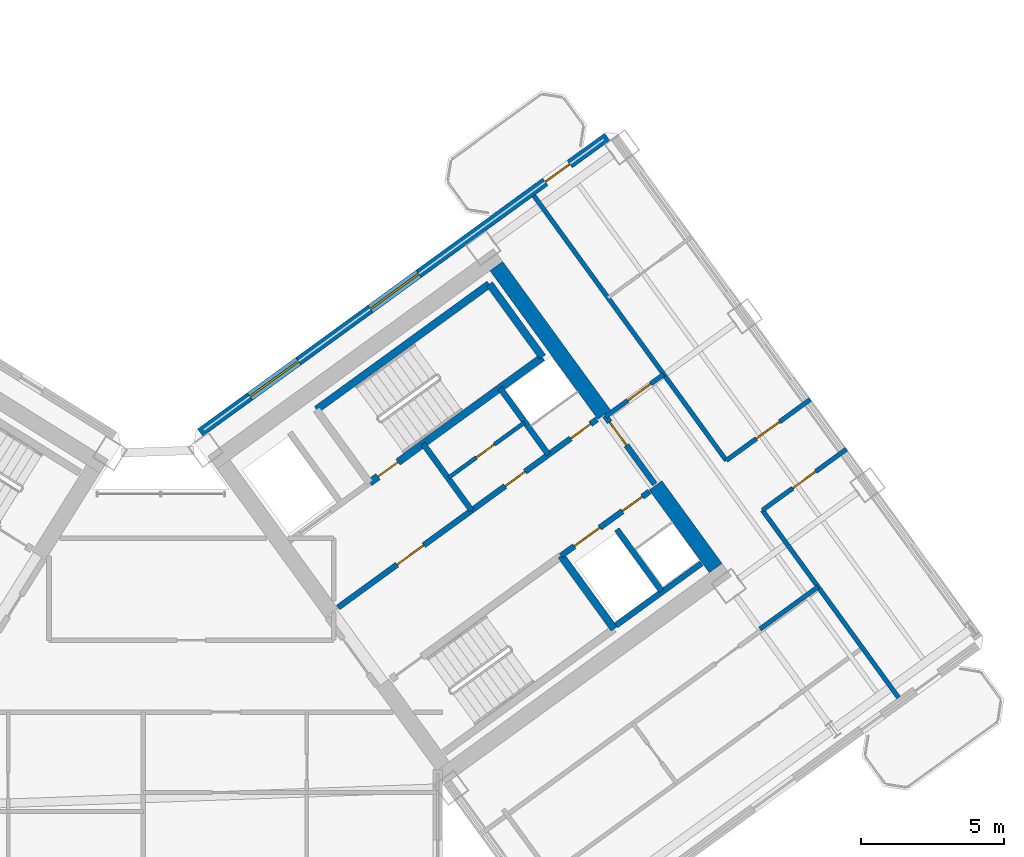
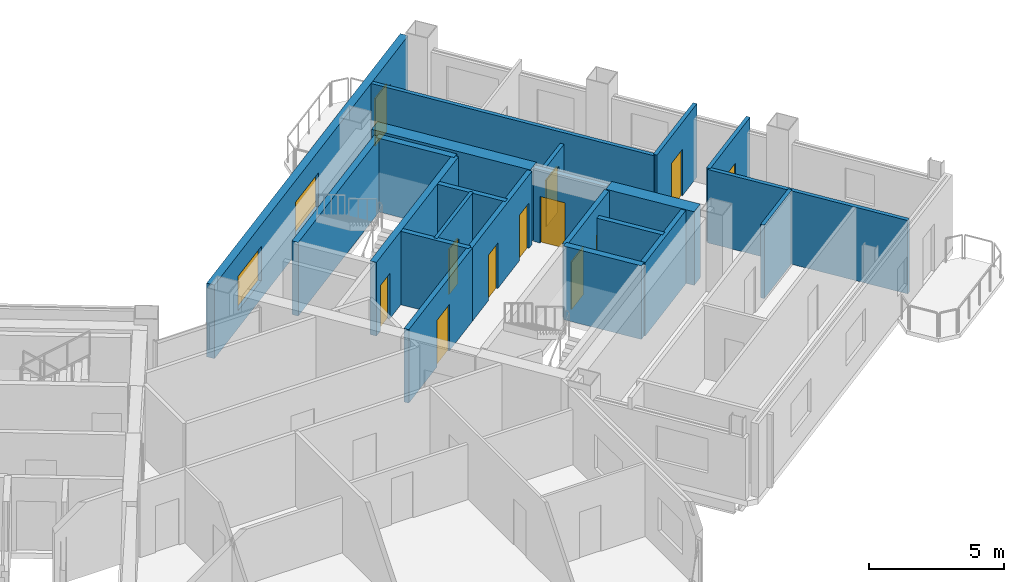
# One storey, part 20 of 29: 22 walls, 12 doors, 2 windows, 14 openings.
"""IFC4 building model written with IfcOpenShell, lengths in metres."""

import ifcopenshell
import ifcopenshell.guid

model = None  # the IFC model being written
_history = None  # IfcOwnerHistory: only IFC2X3 demands one
_inside = {}  # id of a spatial element -> (the spatial element, [elements in it])
_under = {}  # id of a project, library or spatial element -> (it, [spatial elements below it])
_declared = {}  # id of a project -> (the project, [libraries it declares])
_typed = {}  # id of a type object -> (the type object, [elements of that type])
_made_of = {}  # id of a material, layer set ... -> (it, [elements and type objects made of it])


def new_model(schema):
    """Start an empty IFC model of exactly this schema.

    Asked for "IFC4X3", IfcOpenShell would pick the latest addendum, in which some entities
    have other attributes; the version numbers below select the first issue.
    IFC2X3 requires an IfcOwnerHistory on every rooted entity: one is made here for all.
    """
    global model, _history
    if schema == "IFC4X3":
        model = ifcopenshell.file(schema_version=(4, 3, 0, 0))
    else:
        model = ifcopenshell.file(schema=schema)
    _inside.clear()
    _under.clear()
    _declared.clear()
    _typed.clear()
    _made_of.clear()
    _history = None
    if model.schema == "IFC2X3":
        org = make("IfcOrganization", Name="unknown")
        user = make(
            "IfcPersonAndOrganization",
            ThePerson=make("IfcPerson", FamilyName="unknown"),
            TheOrganization=org,
        )
        app = make(
            "IfcApplication",
            ApplicationDeveloper=org,
            Version="unknown",
            ApplicationFullName="unknown",
            ApplicationIdentifier="unknown",
        )
        _history = make(
            "IfcOwnerHistory",
            OwningUser=user,
            OwningApplication=app,
            ChangeAction="ADDED",
            CreationDate=0,
        )
    return model


def make(cls, **values):
    """One entity of the class cls with the attributes given. An attribute that is None is left unset."""
    return model.create_entity(
        cls, **{name: value for name, value in values.items() if value is not None}
    )


def rooted(cls, **values):
    """An entity with a GlobalId (a new one), such as an element, a storey or a relation."""
    return make(cls, GlobalId=ifcopenshell.guid.new(), OwnerHistory=_history, **values)


def si_unit(unit_type, name, prefix=None):
    """IfcSIUnit, for example si_unit("LENGTHUNIT", "METRE", prefix="MILLI")."""
    return make("IfcSIUnit", UnitType=unit_type, Prefix=prefix, Name=name)


def assignment(units):
    """IfcUnitAssignment: the units of a project."""
    return None if units is None else make("IfcUnitAssignment", Units=units)


def point(xyz):
    """IfcCartesianPoint."""
    return None if xyz is None else make("IfcCartesianPoint", Coordinates=xyz)


def direction(xyz):
    """IfcDirection."""
    return None if xyz is None else make("IfcDirection", DirectionRatios=xyz)


def frame(location, z_axis=None, x_axis=None):
    """IfcAxis2Placement3D, a coordinate frame: its origin and axes. An axis left out is left unset."""
    return make(
        "IfcAxis2Placement3D",
        Location=point(location),
        Axis=direction(z_axis),
        RefDirection=direction(x_axis),
    )


def frame_2d(location, x_axis=None):
    """IfcAxis2Placement2D, a coordinate frame in the plane: its origin and x axis."""
    return make(
        "IfcAxis2Placement2D", Location=point(location), RefDirection=direction(x_axis)
    )


def origin():
    """The frame at (0, 0, 0) with its axes left unset."""
    return frame((0.0, 0.0, 0.0))


def place(relative_to, where):
    """IfcLocalPlacement: puts the frame where relative to a parent placement (None: the world)."""
    return make(
        "IfcLocalPlacement", PlacementRelTo=relative_to, RelativePlacement=where
    )


def context(
    kind, dimensions, precision=None, world=None, true_north=None, identifier=None
):
    """IfcGeometricRepresentationContext, for example the 3D "Model" context."""
    return make(
        "IfcGeometricRepresentationContext",
        ContextIdentifier=identifier,
        ContextType=kind,
        CoordinateSpaceDimension=dimensions,
        Precision=precision,
        WorldCoordinateSystem=world,
        TrueNorth=true_north,
    )


def subcontext(parent, identifier, kind, view, scale=None):
    """IfcGeometricRepresentationSubContext, for example "Body" below "Model"."""
    return make(
        "IfcGeometricRepresentationSubContext",
        ContextIdentifier=identifier,
        ContextType=kind,
        ParentContext=parent,
        TargetScale=scale,
        TargetView=view,
    )


def project(units=None, contexts=None):
    """IfcProject with its units and contexts."""
    return rooted(
        "IfcProject",
        Name="project",
        RepresentationContexts=contexts,
        UnitsInContext=assignment(units),
    )


def spatial(cls, under=None, at=None, **own):
    """A site, building, storey or space (cls), placed at a placement, below another one or the project."""
    s = rooted(cls, ObjectPlacement=at, **own)
    if under is not None:
        _under.setdefault(under.id(), (under, []))[1].append(s)
    return s


def profile(cls, at=None, kind="AREA", **sizes):
    """A parametric profile (cls). Its sizes go by their IFC names, for example OverallWidth=200.0."""
    return make(cls, ProfileType=kind, Position=at, **sizes)


def rectangle(**sizes):
    """IfcRectangleProfileDef."""
    return profile("IfcRectangleProfileDef", **sizes)


def extrude(swept, where, along, depth):
    """IfcExtrudedAreaSolid: the profile swept, set in the frame where, extruded along a direction by depth."""
    return make(
        "IfcExtrudedAreaSolid",
        SweptArea=swept,
        Position=where,
        ExtrudedDirection=direction(along),
        Depth=depth,
    )


def shape(context_of_items, identifier, shape_type, items):
    """IfcShapeRepresentation: the items that make up one representation, for example the "Body"."""
    return make(
        "IfcShapeRepresentation",
        ContextOfItems=context_of_items,
        RepresentationIdentifier=identifier,
        RepresentationType=shape_type,
        Items=items,
    )


def source(mapping_origin, context_of_items, identifier, shape_type, items):
    """IfcRepresentationMap: a shape defined once, which mapped items show again and again."""
    return make(
        "IfcRepresentationMap",
        MappingOrigin=mapping_origin,
        MappedRepresentation=shape(context_of_items, identifier, shape_type, items),
    )


def transform(
    local_origin,
    x_axis=None,
    y_axis=None,
    z_axis=None,
    scale=None,
    scale2=None,
    scale3=None,
    uniform=True,
):
    """IfcCartesianTransformationOperator3D, or its non-uniform kind. x_axis, y_axis, z_axis: its Axis1, 2, 3."""
    if uniform:
        return make(
            "IfcCartesianTransformationOperator3D",
            Axis1=direction(x_axis),
            Axis2=direction(y_axis),
            LocalOrigin=point(local_origin),
            Scale=scale,
            Axis3=direction(z_axis),
        )
    return make(
        "IfcCartesianTransformationOperator3DnonUniform",
        Axis1=direction(x_axis),
        Axis2=direction(y_axis),
        LocalOrigin=point(local_origin),
        Scale=scale,
        Axis3=direction(z_axis),
        Scale2=scale2,
        Scale3=scale3,
    )


def mapped(mapping_source, mapping_target):
    """IfcMappedItem: shows the shape of a source again, moved by a transform."""
    return make(
        "IfcMappedItem", MappingSource=mapping_source, MappingTarget=mapping_target
    )


def material(Name=None, Category=None):
    """IfcMaterial."""
    return make("IfcMaterial", Name=Name, Category=Category)


def layer(
    of_material, thickness, ventilated=None, Name=None, Category=None, Priority=None
):
    """IfcMaterialLayer: one layer of a wall or slab, of a material (None: an air gap)."""
    return make(
        "IfcMaterialLayer",
        Material=of_material,
        LayerThickness=thickness,
        IsVentilated=ventilated,
        Name=Name,
        Category=Category,
        Priority=Priority,
    )


def layer_set(layers, Name=None):
    """IfcMaterialLayerSet."""
    return make("IfcMaterialLayerSet", MaterialLayers=layers, LayerSetName=Name)


def made_of(thing, what):
    """Note that an element or type object is made of a material, layer set ...; save() writes the relation."""
    if what is not None:
        _made_of.setdefault(what.id(), (what, []))[1].append(thing)
    return thing


def type_object(cls, material=None, **own):
    """A type object (cls), such as IfcWallType, which elements share."""
    return made_of(rooted(cls, **own), material)


def element(
    cls,
    number,
    at=None,
    inside=None,
    cuts=None,
    type_object=None,
    material=None,
    context=None,
    identifier="Body",
    shape_type=None,
    held_by="IfcProductDefinitionShape",
    body=None,
    shapes=None,
    **own,
):
    """One element of the class cls, such as IfcWall. Its Tag is "e" and its number.

    at: its placement. inside: the storey or other place that contains it. cuts: it is an
    opening in that element (IfcRelVoidsElement). A single representation is given by context,
    identifier, shape_type and body (its items); several are given by shapes. held_by: the class
    of the entity that holds the representations. save() writes the other relations.
    """
    e = rooted(cls, Tag="e%d" % number, ObjectPlacement=at, **own)
    if body is not None:
        shapes = [shape(context, identifier, shape_type, body)]
    if shapes is not None:
        e.Representation = make(held_by, Representations=shapes)
    if inside is not None:
        _inside.setdefault(inside.id(), (inside, []))[1].append(e)
    if cuts is not None:
        rooted(
            "IfcRelVoidsElement", RelatingBuildingElement=cuts, RelatedOpeningElement=e
        )
    if type_object is not None:
        _typed.setdefault(type_object.id(), (type_object, []))[1].append(e)
    return made_of(e, material)


def fill(opening, filler):
    """IfcRelFillsElement: the door or window that sits in an opening."""
    return rooted(
        "IfcRelFillsElement",
        RelatingOpeningElement=opening,
        RelatedBuildingElement=filler,
    )


def aggregate(whole, parts):
    """IfcRelAggregates: a whole, such as a stair, and the parts it consists of."""
    return rooted("IfcRelAggregates", RelatingObject=whole, RelatedObjects=parts)


def save(model, path):
    """Write the relations noted so far, then the file.

    IfcRelAggregates (storeys below a building ...), IfcRelContainedInSpatialStructure (elements
    in a storey), IfcRelDefinesByType, IfcRelAssociatesMaterial and IfcRelDeclares: one each for
    every whole, place, type object, material and project.
    """
    for whole, parts in _under.values():
        aggregate(whole, parts)
    for where, things in _inside.values():
        rooted(
            "IfcRelContainedInSpatialStructure",
            RelatedElements=things,
            RelatingStructure=where,
        )
    for kind, things in _typed.values():
        rooted("IfcRelDefinesByType", RelatedObjects=things, RelatingType=kind)
    for what, things in _made_of.values():
        rooted("IfcRelAssociatesMaterial", RelatedObjects=things, RelatingMaterial=what)
    for by, libraries in _declared.values():
        rooted("IfcRelDeclares", RelatingContext=by, RelatedDefinitions=libraries)
    model.write(path)


model = new_model("IFC4")

# Units and contexts
model_context = context("Model", 3, precision=1e-05, world=origin(), true_north=direction((0.0, 1.0)))
body_context = subcontext(model_context, "Body", "Model", "MODEL_VIEW")
ifc_project = project(units=[si_unit("LENGTHUNIT", "METRE"), si_unit("AREAUNIT", "SQUARE_METRE"), si_unit("VOLUMEUNIT", "CUBIC_METRE"), si_unit("PLANEANGLEUNIT", "RADIAN"), si_unit("MASSUNIT", "GRAM", prefix="KILO")], contexts=[model_context])

# Site, building, storey
site_placement = place(None, origin())
site = spatial("IfcSite", under=ifc_project, at=site_placement, CompositionType="ELEMENT")
building_placement = place(site_placement, origin())
building = spatial("IfcBuilding", under=site, at=building_placement, Name="Tlacorven Tower", CompositionType="ELEMENT")
storey_placement = place(building_placement, frame((0.0, 0.0, 165.89990234375)))
storey = spatial("IfcBuildingStorey", under=building, at=storey_placement, Name="L42", CompositionType="ELEMENT", Elevation=165.89990234375)

# Walls
ifc_material_1 = material(Name="Concrete C60/75", Category="concrete")
ifc_layer_1 = layer(ifc_material_1, 0.550048828125)
ifc_layer_set_1 = layer_set([ifc_layer_1], Name="Concrete C60/75")
wall_type_1 = type_object("IfcWallType", Name="WL-COR-550", PredefinedType="SHEAR", material=ifc_layer_set_1)
wall_1_placement = place(storey_placement, frame((61.9580078125, 20.453857421875, 0.0), z_axis=(0.0, 0.0, 1.0), x_axis=(-0.587802113096, 0.809004744015, 0.0)))
element("IfcWall", 1, at=wall_1_placement, inside=storey, type_object=wall_type_1, Name="L42 E core end wall E2.1", PredefinedType="SHEAR", context=body_context, shape_type="SweptSolid", body=[
    extrude(rectangle(XDim=3.574951171875, YDim=0.550048828125, at=frame_2d((1.78759765625, 0.0))), origin(), (0.0, 0.0, 1.0), 3.320068359375),
])
wall_2_placement = place(storey_placement, frame((58.06396484375, 25.8134765625, 0.0), z_axis=(0.0, 0.0, 1.0), x_axis=(-0.587764933797, 0.809031756236, 0.0)))
element("IfcWall", 2, at=wall_2_placement, inside=storey, type_object=wall_type_1, Name="L42 E core end wall E2.2", PredefinedType="SHEAR", context=body_context, shape_type="SweptSolid", body=[
    extrude(rectangle(XDim=6.425048828125, YDim=0.550048828125, at=frame_2d((3.21240234375, 0.0))), origin(), (0.0, 0.0, 1.0), 3.320068359375),
])
ifc_material_2 = material(Name="Gypsum plasterboard acoustic partition", Category="gypsum")
ifc_layer_2 = layer(ifc_material_2, 0.159912109375)
ifc_layer_set_2 = layer_set([ifc_layer_2], Name="Gypsum plasterboard acoustic partition")
wall_type_2 = type_object("IfcWallType", Name="WL-DEM-160", PredefinedType="PARTITIONING", material=ifc_layer_set_2)
wall_3_placement = place(storey_placement, frame((63.5068359375, 18.322021484375, 0.0), z_axis=(0.0, 0.0, 1.0), x_axis=(0.809034604122, 0.587761013791, 0.0)))
element("IfcWall", 3, at=wall_3_placement, inside=storey, type_object=wall_type_2, Name="L42 partition 89", PredefinedType="PARTITIONING", context=body_context, shape_type="SweptSolid", body=[
    extrude(rectangle(XDim=2.510009765625, YDim=0.159912109375, at=frame_2d((1.2548828125, 0.0))), origin(), (0.0, 0.0, 1.0), 3.31005859375),
])

# Wall, opening, door
wall_4_placement = place(storey_placement, frame((58.111083984375, 25.748779296875, 0.0), z_axis=(0.0, 0.0, 1.0), x_axis=(0.809000999347, 0.58780726693, 0.0)))
wall_4 = element("IfcWall", 4, at=wall_4_placement, inside=storey, type_object=wall_type_2, Name="L42 partition 90", PredefinedType="PARTITIONING", context=body_context, shape_type="SweptSolid", body=[
    extrude(rectangle(XDim=2.510009765625, YDim=0.159912109375, at=frame_2d((1.2548828125, 0.0))), origin(), (0.0, 0.0, 1.0), 2.795166015625),
])
opening_1_placement = place(wall_4_placement, frame((0.949951171875, 0.0, 0.0)))
opening_1 = element("IfcOpeningElement", 5, at=opening_1_placement, cuts=wall_4, Name="Opening D11", PredefinedType="OPENING", context=body_context, shape_type="SweptSolid", body=[
    extrude(rectangle(XDim=1.0, YDim=2.10009765625, at=frame_2d((0.5, 1.050048828125))), frame((0.0, 0.08984375, 0.0), z_axis=(0.0, -1.0, 0.0), x_axis=(1.0, 0.0, 0.0)), (0.0, 0.0, 1.0), 0.179931640625),
])
ifc_material_3 = material(Name="Fire-rated steel door assembly", Category="steel")
door_type_1 = type_object("IfcDoorType", Name="DR-FLT-FD60-1000", OperationType="NOTDEFINED", PredefinedType="DOOR", material=ifc_material_3)
shared_shape_1 = source(origin(), body_context, "Body", "SweptSolid", [
    extrude(rectangle(XDim=1.0, YDim=2.10009765625, at=frame_2d((0.5, 1.050048828125))), frame((0.0, 0.02490234375, 0.0), z_axis=(0.0, -1.0, 0.0), x_axis=(1.0, 0.0, 0.0)), (0.0, 0.0, 1.0), 0.050048828125),
])
door_1_placement = place(opening_1_placement, origin())
door_1 = element("IfcDoor", 6, at=door_1_placement, inside=storey, type_object=door_type_1, Name="L42 door 058", OperationType="SINGLE_SWING_LEFT", OverallHeight=2.10009765625, OverallWidth=1.0, PredefinedType="DOOR", context=body_context, shape_type="MappedRepresentation", body=[
    mapped(shared_shape_1, transform((0.0, 0.0, 0.0), scale=1.0)),
])
fill(opening_1, door_1)

# Walls
wall_5_placement = place(storey_placement, frame((68.35302734375, 15.922119140625, 0.0), z_axis=(0.0, 0.0, 1.0), x_axis=(-0.58776839458, 0.809029241952, 0.0)))
element("IfcWall", 7, at=wall_5_placement, inside=storey, type_object=wall_type_2, Name="L42 partition 91", PredefinedType="PARTITIONING", context=body_context, shape_type="SweptSolid", body=[
    extrude(rectangle(XDim=8.10009765625, YDim=0.159912109375, at=frame_2d((4.050048828125, 0.0))), origin(), (0.0, 0.0, 1.0), 3.31005859375),
])
wall_6_placement = place(storey_placement, frame((62.328125, 24.214599609375, 0.0), z_axis=(0.0, 0.0, 1.0), x_axis=(-0.587778600963, 0.809021826807, 0.0)))
element("IfcWall", 8, at=wall_6_placement, inside=storey, type_object=wall_type_2, Name="L42 partition 92", PredefinedType="PARTITIONING", context=body_context, shape_type="SweptSolid", body=[
    extrude(rectangle(XDim=11.449951171875, YDim=0.159912109375, at=frame_2d((5.72509765625, 0.0))), origin(), (0.0, 0.0, 1.0), 3.31005859375),
])

# Wall, opening, door
wall_7_placement = place(storey_placement, frame((63.592041015625, 22.475341796875, 0.0), z_axis=(0.0, 0.0, 1.0), x_axis=(0.809035546126, 0.58775971715, 0.0)))
wall_7 = element("IfcWall", 9, at=wall_7_placement, inside=storey, type_object=wall_type_2, Name="L42 partition 94", PredefinedType="PARTITIONING", context=body_context, shape_type="SweptSolid", body=[
    extrude(rectangle(XDim=3.6298828125, YDim=0.159912109375, at=frame_2d((1.81494140625, 0.0))), origin(), (0.0, 0.0, 1.0), 3.31005859375),
])
opening_2_placement = place(wall_7_placement, frame((1.304931640625, 0.0, 0.0)))
opening_2 = element("IfcOpeningElement", 10, at=opening_2_placement, cuts=wall_7, Name="Opening D11", PredefinedType="OPENING", context=body_context, shape_type="SweptSolid", body=[
    extrude(rectangle(XDim=1.0, YDim=2.10009765625, at=frame_2d((0.5, 1.050048828125))), frame((0.0, 0.08984375, 0.0), z_axis=(0.0, -1.0, 0.0), x_axis=(1.0, 0.0, 0.0)), (0.0, 0.0, 1.0), 0.179931640625),
])
door_2_placement = place(opening_2_placement, origin())
door_2 = element("IfcDoor", 11, at=door_2_placement, inside=storey, type_object=door_type_1, Name="L42 door 062", OperationType="SINGLE_SWING_LEFT", OverallHeight=2.10009765625, OverallWidth=1.0, PredefinedType="DOOR", context=body_context, shape_type="MappedRepresentation", body=[
    mapped(shared_shape_1, transform((0.0, 0.0, 0.0), scale=1.0)),
])
fill(opening_2, door_2)

wall_8_placement = place(storey_placement, frame((62.328125, 24.214599609375, 0.0), z_axis=(0.0, 0.0, 1.0), x_axis=(0.809003564202, 0.587803736896, 0.0)))
wall_8 = element("IfcWall", 12, at=wall_8_placement, inside=storey, type_object=wall_type_2, Name="L42 partition 95", PredefinedType="PARTITIONING", context=body_context, shape_type="SweptSolid", body=[
    extrude(rectangle(XDim=3.630126953125, YDim=0.159912109375, at=frame_2d((1.81494140625, 0.0))), origin(), (0.0, 0.0, 1.0), 3.31005859375),
])
opening_3_placement = place(wall_8_placement, frame((1.304931640625, 0.0, 0.0)))
opening_3 = element("IfcOpeningElement", 13, at=opening_3_placement, cuts=wall_8, Name="Opening D11", PredefinedType="OPENING", context=body_context, shape_type="SweptSolid", body=[
    extrude(rectangle(XDim=1.0, YDim=2.10009765625, at=frame_2d((0.5, 1.050048828125))), frame((0.0, 0.08984375, 0.0), z_axis=(0.0, -1.0, 0.0), x_axis=(1.0, 0.0, 0.0)), (0.0, 0.0, 1.0), 0.179931640625),
])
door_3_placement = place(opening_3_placement, origin())
door_3 = element("IfcDoor", 14, at=door_3_placement, inside=storey, type_object=door_type_1, Name="L42 door 060", OperationType="SINGLE_SWING_LEFT", OverallHeight=2.10009765625, OverallWidth=1.0, PredefinedType="DOOR", context=body_context, shape_type="MappedRepresentation", body=[
    mapped(shared_shape_1, transform((0.0, 0.0, 0.0), scale=1.0)),
])
fill(opening_3, door_3)

# Wall, openings, door, windows
ifc_material_4 = material(Name="Precast concrete C45/55", Category="concrete")
ifc_layer_3 = layer(ifc_material_4, 0.320068359375)
ifc_layer_set_3 = layer_set([ifc_layer_3], Name="Precast concrete C45/55")
wall_type_3 = type_object("IfcWallType", Name="WL-EXT-320", PredefinedType="STANDARD", material=ifc_layer_set_3)
wall_9_placement = place(storey_placement, frame((43.93798828125, 25.191650390625, 0.0), z_axis=(0.0, 0.0, 1.0), x_axis=(0.809016324578, 0.587786174187, 0.0)))
wall_9 = element("IfcWall", 15, at=wall_9_placement, inside=storey, type_object=wall_type_3, Name="L42 Masonry-Frame Recessed Facade Wall 4", PredefinedType="STANDARD", context=body_context, shape_type="SweptSolid", body=[
    extrude(rectangle(XDim=17.58740234375, YDim=0.320068359375, at=frame_2d((8.793701171875, 0.0))), origin(), (0.0, 0.0, 1.0), 3.320068359375),
])
opening_4_placement = place(wall_9_placement, frame((14.913818359375, 0.0, 0.0)))
opening_4 = element("IfcOpeningElement", 16, at=opening_4_placement, cuts=wall_9, Name="Opening D06", PredefinedType="OPENING", context=body_context, shape_type="SweptSolid", body=[
    extrude(rectangle(XDim=1.050048828125, YDim=2.14990234375, at=frame_2d((0.52490234375, 1.074951171875))), frame((0.0, 0.169921875, 0.0), z_axis=(0.0, -1.0, 0.0), x_axis=(1.0, 0.0, 0.0)), (0.0, 0.0, 1.0), 0.340087890625),
])
opening_5_placement = place(wall_9_placement, frame((2.143798828125, 0.0, 0.800048828125)))
opening_5 = element("IfcOpeningElement", 17, at=opening_5_placement, cuts=wall_9, Name="Opening WN04", PredefinedType="OPENING", context=body_context, shape_type="SweptSolid", body=[
    extrude(rectangle(XDim=2.10009765625, YDim=1.550048828125, at=frame_2d((1.050048828125, 0.77490234375))), frame((0.0, 0.169921875, 0.0), z_axis=(0.0, -1.0, 0.0), x_axis=(1.0, 0.0, 0.0)), (0.0, 0.0, 1.0), 0.340087890625),
])
opening_6_placement = place(wall_9_placement, frame((7.34375, 0.0, 0.800048828125)))
opening_6 = element("IfcOpeningElement", 18, at=opening_6_placement, cuts=wall_9, Name="Opening WN04", PredefinedType="OPENING", context=body_context, shape_type="SweptSolid", body=[
    extrude(rectangle(XDim=2.10009765625, YDim=1.550048828125, at=frame_2d((1.050048828125, 0.77490234375))), frame((0.0, 0.169921875, 0.0), z_axis=(0.0, -1.0, 0.0), x_axis=(1.0, 0.0, 0.0)), (0.0, 0.0, 1.0), 0.340087890625),
])
ifc_material_5 = material(Name="Powder-coated aluminium and timber door", Category="wood")
door_type_2 = type_object("IfcDoorType", Name="DR-EXT-BALC-1050", OperationType="NOTDEFINED", PredefinedType="DOOR", material=ifc_material_5)
shared_shape_2 = source(origin(), body_context, "Body", "SweptSolid", [
    extrude(rectangle(XDim=1.050048828125, YDim=2.14990234375, at=frame_2d((0.52490234375, 1.074951171875))), frame((0.0, 0.02490234375, 0.0), z_axis=(0.0, -1.0, 0.0), x_axis=(1.0, 0.0, 0.0)), (0.0, 0.0, 1.0), 0.050048828125),
])
door_4_placement = place(opening_4_placement, origin())
door_4 = element("IfcDoor", 19, at=door_4_placement, inside=storey, type_object=door_type_2, Name="L42 Outdoor Access Door BAL-L42-E-IN", OperationType="SINGLE_SWING_RIGHT", OverallHeight=2.14990234375, OverallWidth=1.050048828125, PredefinedType="DOOR", context=body_context, shape_type="MappedRepresentation", body=[
    mapped(shared_shape_2, transform((0.0, 0.0, 0.0), scale=1.0)),
])
fill(opening_4, door_4)
ifc_material_6 = material(Name="Dark solar low-E double glazing in anodised aluminium frame", Category="aluminium")
window_type = type_object("IfcWindowType", Name="WN-APT-2100X1750", PartitioningType="SINGLE_PANEL", PredefinedType="WINDOW", material=ifc_material_6)
shared_shape_3 = source(origin(), body_context, "Body", "SweptSolid", [
    extrude(rectangle(XDim=2.10009765625, YDim=1.550048828125, at=frame_2d((1.050048828125, 0.77490234375))), frame((0.0, 0.030029296875, 0.0), z_axis=(0.0, -1.0, 0.0), x_axis=(1.0, 0.0, 0.0)), (0.0, 0.0, 1.0), 0.06005859375),
])
window_1_placement = place(opening_5_placement, origin())
window_1 = element("IfcWindow", 20, at=window_1_placement, inside=storey, type_object=window_type, Name="L42 Recessed Masonry-Frame Window L42-04.1", OverallHeight=1.550048828125, OverallWidth=2.10009765625, PartitioningType="SINGLE_PANEL", PredefinedType="WINDOW", context=body_context, shape_type="MappedRepresentation", body=[
    mapped(shared_shape_3, transform((0.0, 0.0, 0.0), scale=1.0)),
])
fill(opening_5, window_1)
window_2_placement = place(opening_6_placement, origin())
window_2 = element("IfcWindow", 21, at=window_2_placement, inside=storey, type_object=window_type, Name="L42 Recessed Masonry-Frame Window L42-04.2", OverallHeight=1.550048828125, OverallWidth=2.10009765625, PartitioningType="SINGLE_PANEL", PredefinedType="WINDOW", context=body_context, shape_type="MappedRepresentation", body=[
    mapped(shared_shape_3, transform((0.0, 0.0, 0.0), scale=1.0)),
])
fill(opening_6, window_2)

# Wall, opening, door
ifc_material_7 = material(Name="Moisture-resistant gypsum plumbing wall", Category="gypsum")
ifc_layer_4 = layer(ifc_material_7, 0.139892578125)
ifc_layer_set_4 = layer_set([ifc_layer_4], Name="Moisture-resistant gypsum plumbing wall")
wall_type_4 = type_object("IfcWallType", Name="WL-PLM-140", PredefinedType="PLUMBINGWALL", material=ifc_layer_set_4)
wall_10_placement = place(storey_placement, frame((52.617919921875, 23.612060546875, 0.0), z_axis=(0.0, 0.0, 1.0), x_axis=(0.809009587469, 0.587795446889, 0.0)))
wall_10 = element("IfcWall", 22, at=wall_10_placement, inside=storey, type_object=wall_type_4, Name="L42 partition 41", PredefinedType="PLUMBINGWALL", context=body_context, shape_type="SweptSolid", body=[
    extrude(rectangle(XDim=3.280029296875, YDim=0.139892578125, at=frame_2d((1.64013671875, 0.0))), origin(), (0.0, 0.0, 1.0), 3.31005859375),
])
opening_7_placement = place(wall_10_placement, frame((1.199951171875, 0.0, 0.0)))
opening_7 = element("IfcOpeningElement", 23, at=opening_7_placement, cuts=wall_10, Name="Opening D22", PredefinedType="OPENING", context=body_context, shape_type="SweptSolid", body=[
    extrude(rectangle(XDim=0.780029296875, YDim=2.050048828125, at=frame_2d((0.39013671875, 1.02490234375))), frame((0.0, 0.080078125, 0.0), z_axis=(0.0, -1.0, 0.0), x_axis=(1.0, 0.0, 0.0)), (0.0, 0.0, 1.0), 0.159912109375),
])
door_type_3 = type_object("IfcDoorType", Name="DR-INT-WET-0780", OperationType="NOTDEFINED", PredefinedType="DOOR", material=ifc_material_5)
shared_shape_4 = source(origin(), body_context, "Body", "SweptSolid", [
    extrude(rectangle(XDim=0.780029296875, YDim=2.050048828125, at=frame_2d((0.39013671875, 1.02490234375))), frame((0.0, 0.02490234375, 0.0), z_axis=(0.0, -1.0, 0.0), x_axis=(1.0, 0.0, 0.0)), (0.0, 0.0, 1.0), 0.050048828125),
])
door_5_placement = place(opening_7_placement, origin())
door_5 = element("IfcDoor", 24, at=door_5_placement, inside=storey, type_object=door_type_3, Name="L42 door 019", OperationType="SINGLE_SWING_LEFT", OverallHeight=2.050048828125, OverallWidth=0.780029296875, PredefinedType="DOOR", context=body_context, shape_type="MappedRepresentation", body=[
    mapped(shared_shape_4, transform((0.0, 0.0, 0.0), scale=1.0)),
])
fill(opening_7, door_5)

ifc_material_8 = material(Name="Concrete C40/50", Category="concrete")
ifc_layer_5 = layer(ifc_material_8, 0.199951171875)
ifc_layer_set_5 = layer_set([ifc_layer_5], Name="Concrete C40/50")
wall_type_5 = type_object("IfcWallType", Name="WL-SHF-200", PredefinedType="STANDARD", material=ifc_layer_set_5)
wall_11_placement = place(storey_placement, frame((48.75830078125, 19.0771484375, 0.0), z_axis=(0.0, 0.0, 1.0), x_axis=(0.809005065155, 0.587801671104, 0.0)))
wall_11 = element("IfcWall", 25, at=wall_11_placement, inside=storey, type_object=wall_type_5, Name="L42 Core E Smoke Lobby Wall", PredefinedType="STANDARD", context=body_context, shape_type="SweptSolid", body=[
    extrude(rectangle(XDim=5.767822265625, YDim=0.199951171875, at=frame_2d((2.8837890625, 0.0))), origin(), (0.0, 0.0, 1.0), 3.31005859375),
])
opening_8_placement = place(wall_11_placement, frame((2.548095703125, 0.0, 0.0)))
opening_8 = element("IfcOpeningElement", 26, at=opening_8_placement, cuts=wall_11, Name="Opening D09", PredefinedType="OPENING", context=body_context, shape_type="SweptSolid", body=[
    extrude(rectangle(XDim=1.14990234375, YDim=2.10009765625, at=frame_2d((0.574951171875, 1.050048828125))), frame((0.0, 0.10986328125, 0.0), z_axis=(0.0, -1.0, 0.0), x_axis=(1.0, 0.0, 0.0)), (0.0, 0.0, 1.0), 0.219970703125),
])
door_type_4 = type_object("IfcDoorType", Name="DR-FFL-FD60-1150", OperationType="NOTDEFINED", PredefinedType="DOOR", material=ifc_material_3)
shared_shape_5 = source(origin(), body_context, "Body", "SweptSolid", [
    extrude(rectangle(XDim=1.14990234375, YDim=2.10009765625, at=frame_2d((0.574951171875, 1.050048828125))), frame((0.0, 0.02490234375, 0.0), z_axis=(0.0, -1.0, 0.0), x_axis=(1.0, 0.0, 0.0)), (0.0, 0.0, 1.0), 0.050048828125),
])
door_6_placement = place(opening_8_placement, origin())
door_6 = element("IfcDoor", 27, at=door_6_placement, inside=storey, type_object=door_type_4, Name="L42 Firefighting Lobby E Fire Door", OperationType="SINGLE_SWING_LEFT", OverallHeight=2.10009765625, OverallWidth=1.14990234375, PredefinedType="DOOR", context=body_context, shape_type="MappedRepresentation", body=[
    mapped(shared_shape_5, transform((0.0, 0.0, 0.0), scale=1.0)),
])
fill(opening_8, door_6)

# Wall, openings, doors
wall_12_placement = place(storey_placement, frame((56.552978515625, 20.884033203125, 0.0), z_axis=(0.0, 0.0, 1.0), x_axis=(0.809023564264, 0.58777620951, 0.0)))
wall_12 = element("IfcWall", 28, at=wall_12_placement, inside=storey, type_object=wall_type_5, Name="L42 Core E South Lift Shaft Wall", PredefinedType="STANDARD", context=body_context, shape_type="SweptSolid", body=[
    extrude(rectangle(XDim=3.818115234375, YDim=0.199951171875, at=frame_2d((1.9091796875, 0.0))), origin(), (0.0, 0.0, 1.0), 3.31005859375),
])
opening_9_placement = place(wall_12_placement, frame((0.570068359375, 0.0, 0.0)))
opening_9 = element("IfcOpeningElement", 29, at=opening_9_placement, cuts=wall_12, Name="Opening LD01", PredefinedType="OPENING", context=body_context, shape_type="SweptSolid", body=[
    extrude(rectangle(XDim=1.10009765625, YDim=2.14990234375, at=frame_2d((0.550048828125, 1.074951171875))), frame((0.0, 0.10986328125, 0.0), z_axis=(0.0, -1.0, 0.0), x_axis=(1.0, 0.0, 0.0)), (0.0, 0.0, 1.0), 0.219970703125),
])
opening_10_placement = place(wall_12_placement, frame((2.64990234375, 0.0, 0.0)))
opening_10 = element("IfcOpeningElement", 30, at=opening_10_placement, cuts=wall_12, Name="Opening D19", PredefinedType="OPENING", context=body_context, shape_type="SweptSolid", body=[
    extrude(rectangle(XDim=0.860107421875, YDim=2.050048828125, at=frame_2d((0.43017578125, 1.02490234375))), frame((0.0, 0.10986328125, 0.0), z_axis=(0.0, -1.0, 0.0), x_axis=(1.0, 0.0, 0.0)), (0.0, 0.0, 1.0), 0.219970703125),
])
door_type_5 = type_object("IfcDoorType", Name="DR-RSR-FD60-0860", OperationType="NOTDEFINED", PredefinedType="DOOR", material=ifc_material_3)
shared_shape_6 = source(origin(), body_context, "Body", "SweptSolid", [
    extrude(rectangle(XDim=0.860107421875, YDim=2.050048828125, at=frame_2d((0.43017578125, 1.02490234375))), frame((0.0, 0.02490234375, 0.0), z_axis=(0.0, -1.0, 0.0), x_axis=(1.0, 0.0, 0.0)), (0.0, 0.0, 1.0), 0.050048828125),
])
door_7_placement = place(opening_10_placement, origin())
door_7 = element("IfcDoor", 31, at=door_7_placement, inside=storey, type_object=door_type_5, Name="L42 Smoke Extract Riser Access Door", OperationType="SINGLE_SWING_RIGHT", OverallHeight=2.050048828125, OverallWidth=0.860107421875, PredefinedType="DOOR", context=body_context, shape_type="MappedRepresentation", body=[
    mapped(shared_shape_6, transform((0.0, 0.0, 0.0), scale=1.0)),
])
fill(opening_10, door_7)
door_type_6 = type_object("IfcDoorType", Name="DR-LFT-SLID-1100", OperationType="DOUBLE_DOOR_SLIDING", PredefinedType="DOOR", material=ifc_material_3)
shared_shape_7 = source(origin(), body_context, "Body", "SweptSolid", [
    extrude(rectangle(XDim=1.10009765625, YDim=2.14990234375, at=frame_2d((0.550048828125, 1.074951171875))), frame((0.0, 0.02490234375, 0.0), z_axis=(0.0, -1.0, 0.0), x_axis=(1.0, 0.0, 0.0)), (0.0, 0.0, 1.0), 0.050048828125),
])
door_8_placement = place(opening_9_placement, origin())
door_8 = element("IfcDoor", 32, at=door_8_placement, inside=storey, type_object=door_type_6, Name="L42 Lift PL-M4 Sliding Landing Door", OperationType="DOUBLE_DOOR_SLIDING", OverallHeight=2.14990234375, OverallWidth=1.10009765625, PredefinedType="DOOR", context=body_context, shape_type="MappedRepresentation", body=[
    mapped(shared_shape_7, transform((0.0, 0.0, 0.0), scale=1.0)),
])
fill(opening_9, door_8)

# Walls
wall_13_placement = place(storey_placement, frame((60.066650390625, 19.654541015625, 0.0), z_axis=(0.0, 0.0, 1.0), x_axis=(-0.587800520745, 0.809005900975, 0.0)))
element("IfcWall", 33, at=wall_13_placement, inside=storey, type_object=wall_type_5, Name="L42 partition 34", PredefinedType="STANDARD", context=body_context, shape_type="SweptSolid", body=[
    extrude(rectangle(XDim=2.659912109375, YDim=0.199951171875, at=frame_2d((1.330078125, 0.0))), origin(), (0.0, 0.0, 1.0), 3.31005859375),
])
wall_14_placement = place(storey_placement, frame((58.47216796875, 18.446533203125, 0.0), z_axis=(0.0, 0.0, 1.0), x_axis=(0.809018631237, 0.587782999339, 0.0)))
element("IfcWall", 34, at=wall_14_placement, inside=storey, type_object=wall_type_5, Name="L42 partition 36", PredefinedType="STANDARD", context=body_context, shape_type="SweptSolid", body=[
    extrude(rectangle(XDim=3.697998046875, YDim=0.199951171875, at=frame_2d((1.84912109375, 0.0))), origin(), (0.0, 0.0, 1.0), 3.31005859375),
])
wall_15_placement = place(storey_placement, frame((53.424560546875, 22.467529296875, 0.0), z_axis=(0.0, 0.0, 1.0), x_axis=(-0.5877230039, 0.809062216821, 0.0)))
element("IfcWall", 35, at=wall_15_placement, inside=storey, type_object=wall_type_5, Name="L42 partition 38", PredefinedType="STANDARD", context=body_context, shape_type="SweptSolid", body=[
    extrude(rectangle(XDim=2.8798828125, YDim=0.199951171875, at=frame_2d((1.43994140625, 0.0))), origin(), (0.0, 0.0, 1.0), 3.31005859375),
])
wall_16_placement = place(storey_placement, frame((56.110595703125, 24.4189453125, 0.0), z_axis=(0.0, 0.0, 1.0), x_axis=(-0.58777848983, 0.809021907548, 0.0)))
element("IfcWall", 36, at=wall_16_placement, inside=storey, type_object=wall_type_5, Name="L42 partition 39", PredefinedType="STANDARD", context=body_context, shape_type="SweptSolid", body=[
    extrude(rectangle(XDim=2.880126953125, YDim=0.199951171875, at=frame_2d((1.43994140625, 0.0))), origin(), (0.0, 0.0, 1.0), 3.31005859375),
])

# Wall, openings, doors
wall_17_placement = place(storey_placement, frame((53.424560546875, 22.467529296875, 0.0), z_axis=(0.0, 0.0, 1.0), x_axis=(0.809024377198, 0.587775090574, 0.0)))
wall_17 = element("IfcWall", 37, at=wall_17_placement, inside=storey, type_object=wall_type_5, Name="L42 Core E North Service Wall", PredefinedType="STANDARD", context=body_context, shape_type="SweptSolid", body=[
    extrude(rectangle(XDim=5.41796875, YDim=0.199951171875, at=frame_2d((2.708984375, 0.0))), origin(), (0.0, 0.0, 1.0), 3.31005859375),
])
opening_11_placement = place(wall_17_placement, frame((4.280029296875, 0.0, 0.0)))
opening_11 = element("IfcOpeningElement", 38, at=opening_11_placement, cuts=wall_17, Name="Opening D19", PredefinedType="OPENING", context=body_context, shape_type="SweptSolid", body=[
    extrude(rectangle(XDim=0.860107421875, YDim=2.050048828125, at=frame_2d((0.43017578125, 1.02490234375))), frame((0.0, 0.10986328125, 0.0), z_axis=(0.0, -1.0, 0.0), x_axis=(1.0, 0.0, 0.0)), (0.0, 0.0, 1.0), 0.219970703125),
])
opening_12_placement = place(wall_17_placement, frame((1.449951171875, 0.0, 0.0)))
opening_12 = element("IfcOpeningElement", 39, at=opening_12_placement, cuts=wall_17, Name="Opening D19", PredefinedType="OPENING", context=body_context, shape_type="SweptSolid", body=[
    extrude(rectangle(XDim=0.860107421875, YDim=2.050048828125, at=frame_2d((0.43017578125, 1.02490234375))), frame((0.0, 0.10986328125, 0.0), z_axis=(0.0, -1.0, 0.0), x_axis=(1.0, 0.0, 0.0)), (0.0, 0.0, 1.0), 0.219970703125),
])
door_9_placement = place(opening_11_placement, frame((0.860107421875, 0.0, 0.0), z_axis=(0.0, 0.0, 1.0), x_axis=(-1.0, 0.0, 0.0)))
door_9 = element("IfcDoor", 40, at=door_9_placement, inside=storey, type_object=door_type_5, Name="L42 Electrical Riser Access Door E", OperationType="SINGLE_SWING_LEFT", OverallHeight=2.050048828125, OverallWidth=0.860107421875, PredefinedType="DOOR", context=body_context, shape_type="MappedRepresentation", body=[
    mapped(shared_shape_6, transform((0.0, 0.0, 0.0), scale=1.0)),
])
fill(opening_11, door_9)
door_10_placement = place(opening_12_placement, frame((0.860107421875, 0.0, 0.0), z_axis=(0.0, 0.0, 1.0), x_axis=(-1.0, 0.0, 0.0)))
door_10 = element("IfcDoor", 41, at=door_10_placement, inside=storey, type_object=door_type_5, Name="L42 Cleaner Store Access Door E", OperationType="SINGLE_SWING_RIGHT", OverallHeight=2.050048828125, OverallWidth=0.860107421875, PredefinedType="DOOR", context=body_context, shape_type="MappedRepresentation", body=[
    mapped(shared_shape_6, transform((0.0, 0.0, 0.0), scale=1.0)),
])
fill(opening_12, door_10)

# Wall, opening, door
wall_18_placement = place(storey_placement, frame((59.827392578125, 23.386474609375, 0.0), z_axis=(0.0, 0.0, 1.0), x_axis=(-0.587803840107, 0.809003489211, 0.0)))
wall_18 = element("IfcWall", 42, at=wall_18_placement, inside=storey, type_object=wall_type_5, Name="L42 partition 88", PredefinedType="STANDARD", context=body_context, shape_type="SweptSolid", body=[
    extrude(rectangle(XDim=2.960205078125, YDim=0.199951171875, at=frame_2d((1.47998046875, 0.0))), origin(), (0.0, 0.0, 1.0), 3.31005859375),
])
opening_13_placement = place(wall_18_placement, frame((1.679931640625, 0.0, 0.0)))
opening_13 = element("IfcOpeningElement", 43, at=opening_13_placement, cuts=wall_18, Name="Opening D11", PredefinedType="OPENING", context=body_context, shape_type="SweptSolid", body=[
    extrude(rectangle(XDim=1.0, YDim=2.10009765625, at=frame_2d((0.5, 1.050048828125))), frame((0.0, 0.10986328125, 0.0), z_axis=(0.0, -1.0, 0.0), x_axis=(1.0, 0.0, 0.0)), (0.0, 0.0, 1.0), 0.219970703125),
])
door_11_placement = place(opening_13_placement, origin())
door_11 = element("IfcDoor", 44, at=door_11_placement, inside=storey, type_object=door_type_1, Name="L42 door 059", OperationType="SINGLE_SWING_RIGHT", OverallHeight=2.10009765625, OverallWidth=1.0, PredefinedType="DOOR", context=body_context, shape_type="MappedRepresentation", body=[
    mapped(shared_shape_1, transform((0.0, 0.0, 0.0), scale=1.0)),
])
fill(opening_13, door_11)

# Wall
ifc_material_9 = material(Name="Concrete C50/60", Category="concrete")
ifc_layer_6 = layer(ifc_material_9, 0.260009765625)
ifc_layer_set_6 = layer_set([ifc_layer_6], Name="Concrete C50/60")
wall_type_6 = type_object("IfcWallType", Name="WL-STW-260", PredefinedType="SHEAR", material=ifc_layer_set_6)
wall_19_placement = place(storey_placement, frame((48.005615234375, 25.996337890625, 0.0), z_axis=(0.0, 0.0, 1.0), x_axis=(0.80901903764, 0.587782439969, 0.0)))
element("IfcWall", 45, at=wall_19_placement, inside=storey, type_object=wall_type_6, Name="L42 Stair E1 Far Shear Wall", PredefinedType="SHEAR", context=body_context, shape_type="SweptSolid", body=[
    extrude(rectangle(XDim=7.4599609375, YDim=0.260009765625, at=frame_2d((3.72998046875, 0.0))), origin(), (0.0, 0.0, 1.0), 3.320068359375),
])

# Wall, opening, door
wall_20_placement = place(storey_placement, frame((49.863037109375, 23.439697265625, 0.0), z_axis=(0.0, 0.0, 1.0), x_axis=(0.809003474932, 0.587803859759, 0.0)))
wall_20 = element("IfcWall", 46, at=wall_20_placement, inside=storey, type_object=wall_type_6, Name="L42 Stair E1 Lobby Shear Wall", PredefinedType="SHEAR", context=body_context, shape_type="SweptSolid", body=[
    extrude(rectangle(XDim=7.4599609375, YDim=0.260009765625, at=frame_2d((3.72998046875, 0.0))), origin(), (0.0, 0.0, 1.0), 3.320068359375),
])
opening_14_placement = place(wall_20_placement, frame((0.360107421875, 0.0, 0.0)))
opening_14 = element("IfcOpeningElement", 47, at=opening_14_placement, cuts=wall_20, Name="Opening D19", PredefinedType="OPENING", context=body_context, shape_type="SweptSolid", body=[
    extrude(rectangle(XDim=0.860107421875, YDim=2.050048828125, at=frame_2d((0.43017578125, 1.02490234375))), frame((0.0, 0.14013671875, 0.0), z_axis=(0.0, -1.0, 0.0), x_axis=(1.0, 0.0, 0.0)), (0.0, 0.0, 1.0), 0.280029296875),
])
door_12_placement = place(opening_14_placement, frame((0.860107421875, 0.0, 0.0), z_axis=(0.0, 0.0, 1.0), x_axis=(-1.0, 0.0, 0.0)))
door_12 = element("IfcDoor", 48, at=door_12_placement, inside=storey, type_object=door_type_5, Name="L42 Exit Stair E1 Fire Door", OperationType="SINGLE_SWING_LEFT", OverallHeight=2.050048828125, OverallWidth=0.860107421875, PredefinedType="DOOR", context=body_context, shape_type="MappedRepresentation", body=[
    mapped(shared_shape_6, transform((0.0, 0.0, 0.0), scale=1.0)),
])
fill(opening_14, door_12)

# Walls
wall_21_placement = place(storey_placement, frame((55.906494140625, 27.83056640625, 0.0), z_axis=(0.0, 0.0, 1.0), x_axis=(-0.587804123638, 0.809003283204, 0.0)))
element("IfcWall", 49, at=wall_21_placement, inside=storey, type_object=wall_type_6, Name="L42 Stair E1 East Shear Wall", PredefinedType="SHEAR", context=body_context, shape_type="SweptSolid", body=[
    extrude(rectangle(XDim=3.159912109375, YDim=0.260009765625, at=frame_2d((1.580078125, 0.0))), origin(), (0.0, 0.0, 1.0), 3.320068359375),
])
wall_22_placement = place(storey_placement, frame((58.410400390625, 18.327392578125, 0.0), z_axis=(0.0, 0.0, 1.0), x_axis=(-0.58776738483, 0.809029975545, 0.0)))
element("IfcWall", 50, at=wall_22_placement, inside=storey, type_object=wall_type_6, Name="L42 Stair E2 East Shear Wall", PredefinedType="SHEAR", context=body_context, shape_type="SweptSolid", body=[
    extrude(rectangle(XDim=3.16015625, YDim=0.260009765625, at=frame_2d((1.580078125, 0.0))), origin(), (0.0, 0.0, 1.0), 3.320068359375),
])

save(model, "model.ifc")
